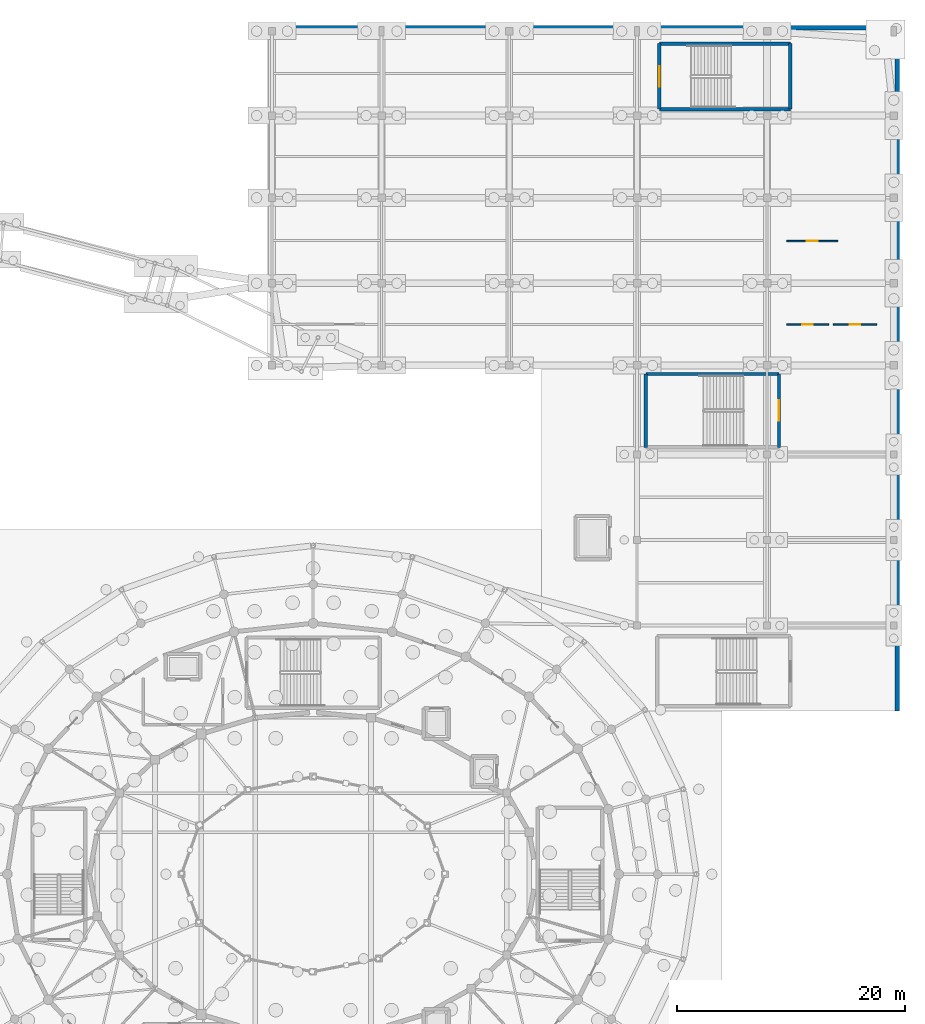
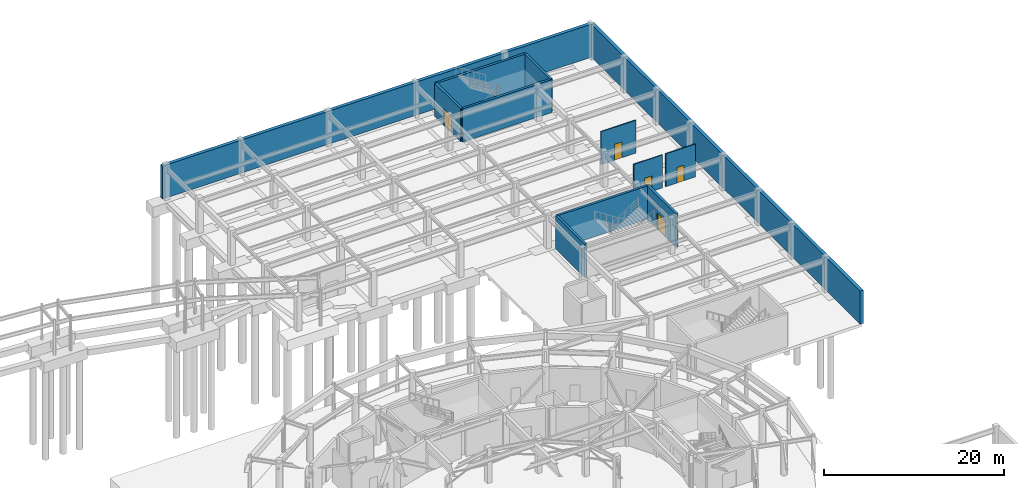
# One storey, part 43 of 68: 12 walls, 5 doors, 5 openings.
"""IFC4 building model written with IfcOpenShell, lengths in metres."""

from ifc_helpers import new_model, si_unit, direction, frame, frame_2d, origin, place, context, subcontext, project, spatial, rectangle, extrude, material, layer, layer_set, type_object, element, fill, save


model = new_model("IFC4")

# Units and contexts
model_context = context("Model", 3, precision=1e-05, world=origin(), true_north=direction((0.0, 1.0)))
body_context = subcontext(model_context, "Body", "Model", "MODEL_VIEW")
ifc_project = project(units=[si_unit("LENGTHUNIT", "METRE"), si_unit("AREAUNIT", "SQUARE_METRE"), si_unit("VOLUMEUNIT", "CUBIC_METRE"), si_unit("PLANEANGLEUNIT", "RADIAN"), si_unit("MASSUNIT", "GRAM", prefix="KILO")], contexts=[model_context])

# Site, building, storey
site_placement = place(None, origin())
site = spatial("IfcSite", under=ifc_project, at=site_placement, CompositionType="ELEMENT")
building_placement = place(site_placement, origin())
building = spatial("IfcBuilding", under=site, at=building_placement, Name="Cinderbank Siding Concert Hall", CompositionType="ELEMENT")
storey_placement = place(building_placement, frame((0.0, 0.0, -4.800048828125)))
storey = spatial("IfcBuildingStorey", under=building, at=storey_placement, Name="B1", CompositionType="ELEMENT", Elevation=-4.800048828125)

# Wall, opening, door
ifc_material_1 = material(Name="Reinforced concrete AS 3600 N50 (50 MPa)", Category="concrete")
ifc_layer_1 = layer(ifc_material_1, 0.300048828125)
ifc_layer_set_1 = layer_set([ifc_layer_1], Name="Reinforced concrete AS 3600 N50 (50 MPa)")
wall_type_1 = type_object("IfcWallType", Name="WL-03 Structural Wall 300mm", PredefinedType="SHEAR", material=ifc_layer_set_1)
wall_1_placement = place(storey_placement, frame((152.360107421875, 111.06005859375, 0.0), z_axis=(0.0, 0.0, 1.0), x_axis=(0.0, 1.0, 0.0)))
wall_1 = element("IfcWall", 1, at=wall_1_placement, inside=storey, type_object=wall_type_1, Name="B1 ST-07 Core Wall ENTRY", PredefinedType="SHEAR", context=body_context, shape_type="SweptSolid", body=[
    extrude(rectangle(XDim=5.739990234375, YDim=0.300048828125, at=frame_2d((2.8701171875, 0.0))), origin(), (0.0, 0.0, 1.0), 4.47998046875),
])
opening_1_placement = place(wall_1_placement, frame((1.969970703125, 0.0, 0.0)))
opening_1 = element("IfcOpeningElement", 2, at=opening_1_placement, cuts=wall_1, Name="Opening D-05", PredefinedType="OPENING", context=body_context, shape_type="SweptSolid", body=[
    extrude(rectangle(XDim=1.800048828125, YDim=2.199951171875, at=frame_2d((0.89990234375, 1.10009765625))), frame((0.0, 0.162109375, 0.0), z_axis=(0.0, -1.0, 0.0), x_axis=(1.0, 0.0, 0.0)), (0.0, 0.0, 1.0), 0.323974609375),
])
ifc_material_2 = material(Name="Galvanised sheet steel acoustic fire door assembly", Category="steel")
door_type_1 = type_object("IfcDoorType", Name="D-05 Interior Door 1800x2200", OperationType="DOUBLE_DOOR_SINGLE_SWING", PredefinedType="DOOR", material=ifc_material_2)
door_1_placement = place(opening_1_placement, origin())
door_1 = element("IfcDoor", 3, at=door_1_placement, inside=storey, type_object=door_type_1, Name="B1 ST-07 Fire Stair Door B1-D039", OperationType="DOUBLE_DOOR_SINGLE_SWING", OverallHeight=2.199951171875, OverallWidth=1.800048828125, PredefinedType="DOOR", context=body_context, shape_type="SweptSolid", body=[
    extrude(rectangle(XDim=1.800048828125, YDim=2.199951171875, at=frame_2d((0.89990234375, 1.10009765625))), frame((0.0, 0.02490234375, 0.0), z_axis=(0.0, -1.0, 0.0), x_axis=(1.0, 0.0, 0.0)), (0.0, 0.0, 1.0), 0.050048828125),
])
fill(opening_1, door_1)

# Walls
wall_2_placement = place(storey_placement, frame((163.840087890625, 116.800048828125, 0.0), z_axis=(0.0, 0.0, 1.0), x_axis=(0.0, -1.0, 0.0)))
element("IfcWall", 4, at=wall_2_placement, inside=storey, type_object=wall_type_1, Name="B1 ST-07 Core Wall FAR", PredefinedType="SHEAR", context=body_context, shape_type="SweptSolid", body=[
    extrude(rectangle(XDim=5.739990234375, YDim=0.300048828125, at=frame_2d((2.8701171875, 0.0))), origin(), (0.0, 0.0, 1.0), 4.47998046875),
])
for number, where, z_axis, x_axis, name in (
    (5, (163.840087890625, 111.06005859375, 0.0), (0.0, 0.0, 1.0), (-1.0, 0.0, 0.0), "B1 ST-07 Core Wall SIDE1"),
    (6, (152.360107421875, 116.800048828125, 0.0), (0.0, 0.0, 1.0), (1.0, 0.0, 0.0), "B1 ST-07 Core Wall SIDE2"),
):
    element("IfcWall", number, at=place(storey_placement, frame(where, z_axis=z_axis, x_axis=x_axis)), inside=storey, type_object=wall_type_1, Name=name, PredefinedType="SHEAR", context=body_context, shape_type="SweptSolid", body=[
        extrude(rectangle(XDim=11.47998046875, YDim=0.300048828125, at=frame_2d((5.739990234375, 0.0))), origin(), (0.0, 0.0, 1.0), 4.47998046875),
    ])

# Wall, opening, door
wall_3_placement = place(storey_placement, frame((162.840087890625, 87.85009765625, 0.0), z_axis=(0.0, 0.0, 1.0), x_axis=(0.0, -1.0, 0.0)))
wall_3 = element("IfcWall", 7, at=wall_3_placement, inside=storey, type_object=wall_type_1, Name="B1 ST-11 Core Wall ENTRY", PredefinedType="SHEAR", context=body_context, shape_type="SweptSolid", body=[
    extrude(rectangle(XDim=6.440185546875, YDim=0.300048828125, at=frame_2d((3.22021484375, 0.0))), origin(), (0.0, 0.0, 1.0), 4.52001953125),
])
opening_2_placement = place(wall_3_placement, frame((2.320068359375, 0.0, 0.0)))
opening_2 = element("IfcOpeningElement", 8, at=opening_2_placement, cuts=wall_3, Name="Opening D-05", PredefinedType="OPENING", context=body_context, shape_type="SweptSolid", body=[
    extrude(rectangle(XDim=1.800048828125, YDim=2.199951171875, at=frame_2d((0.89990234375, 1.10009765625))), frame((0.0, 0.162109375, 0.0), z_axis=(0.0, -1.0, 0.0), x_axis=(1.0, 0.0, 0.0)), (0.0, 0.0, 1.0), 0.323974609375),
])
door_2_placement = place(opening_2_placement, origin())
door_2 = element("IfcDoor", 9, at=door_2_placement, inside=storey, type_object=door_type_1, Name="B1 ST-11 Fire Stair Door B1-D054", OperationType="DOUBLE_DOOR_SINGLE_SWING", OverallHeight=2.199951171875, OverallWidth=1.800048828125, PredefinedType="DOOR", context=body_context, shape_type="SweptSolid", body=[
    extrude(rectangle(XDim=1.800048828125, YDim=2.199951171875, at=frame_2d((0.89990234375, 1.10009765625))), frame((0.0, 0.02490234375, 0.0), z_axis=(0.0, -1.0, 0.0), x_axis=(1.0, 0.0, 0.0)), (0.0, 0.0, 1.0), 0.050048828125),
])
fill(opening_2, door_2)

# Walls
wall_4_placement = place(storey_placement, frame((151.159912109375, 81.409912109375, 0.0), z_axis=(0.0, 0.0, 1.0), x_axis=(0.0, 1.0, 0.0)))
element("IfcWall", 10, at=wall_4_placement, inside=storey, type_object=wall_type_1, Name="B1 ST-11 Core Wall FAR", PredefinedType="SHEAR", context=body_context, shape_type="SweptSolid", body=[
    extrude(rectangle(XDim=6.440185546875, YDim=0.300048828125, at=frame_2d((3.22021484375, 0.0))), origin(), (0.0, 0.0, 1.0), 4.52001953125),
])
wall_5_placement = place(storey_placement, frame((151.159912109375, 87.85009765625, 0.0), z_axis=(0.0, 0.0, 1.0), x_axis=(1.0, 0.0, 0.0)))
element("IfcWall", 11, at=wall_5_placement, inside=storey, type_object=wall_type_1, Name="B1 ST-11 Core Wall SIDE1", PredefinedType="SHEAR", context=body_context, shape_type="SweptSolid", body=[
    extrude(rectangle(XDim=11.68017578125, YDim=0.300048828125, at=frame_2d((5.840087890625, 0.0))), origin(), (0.0, 0.0, 1.0), 4.52001953125),
])
ifc_material_3 = material(Name="Reinforced concrete AS 3600 N40 (40 MPa)", Category="concrete")
ifc_layer_2 = layer(ifc_material_3, 0.419921875)
ifc_layer_set_2 = layer_set([ifc_layer_2], Name="Reinforced concrete AS 3600 N40 (40 MPa)")
wall_type_2 = type_object("IfcWallType", Name="WL-04 Structural Wall 420mm", PredefinedType="SOLIDWALL", material=ifc_layer_set_2)
wall_6_placement = place(storey_placement, frame((173.199951171875, 58.300048828125, 0.0), z_axis=(0.0, 0.0, 1.0), x_axis=(0.0, 1.0, 0.0)))
element("IfcWall", 12, at=wall_6_placement, inside=storey, type_object=wall_type_2, Name="B1 Structural Wall SW-B1-RET-05", PredefinedType="SOLIDWALL", context=body_context, shape_type="SweptSolid", body=[
    extrude(rectangle(XDim=59.89990234375, YDim=0.419921875, at=frame_2d((29.949951171875, 0.0))), origin(), (0.0, 0.0, 1.0), 4.47998046875),
])
wall_7_placement = place(storey_placement, frame((173.199951171875, 118.199951171875, 0.0), z_axis=(0.0, 0.0, 1.0), x_axis=(-1.0, 0.0, 0.0)))
element("IfcWall", 13, at=wall_7_placement, inside=storey, type_object=wall_type_2, Name="B1 Structural Wall SW-B1-RET-06", PredefinedType="SOLIDWALL", context=body_context, shape_type="SweptSolid", body=[
    extrude(rectangle(XDim=55.199951171875, YDim=0.419921875, at=frame_2d((27.60009765625, 0.0))), origin(), (0.0, 0.0, 1.0), 4.47998046875),
])

# Wall, opening, door
ifc_material_4 = material(Name="Acoustic plasterboard on light-gauge steel studs", Category="gypsum")
ifc_layer_3 = layer(ifc_material_4, 0.1298828125)
ifc_layer_set_3 = layer_set([ifc_layer_3], Name="Acoustic plasterboard on light-gauge steel studs")
wall_type_3 = type_object("IfcWallType", Name="WL-17 Interior Wall 130mm", PredefinedType="PARTITIONING", material=ifc_layer_set_3)
wall_8_placement = place(storey_placement, frame((163.5, 92.199951171875, 0.0), z_axis=(0.0, 0.0, 1.0), x_axis=(1.0, 0.0, 0.0)))
wall_8 = element("IfcWall", 14, at=wall_8_placement, inside=storey, type_object=wall_type_3, Name="B1 Partition B1 Male WC", PredefinedType="PARTITIONING", context=body_context, shape_type="SweptSolid", body=[
    extrude(rectangle(XDim=3.699951171875, YDim=0.1298828125, at=frame_2d((1.85009765625, 0.0))), origin(), (0.0, 0.0, 1.0), 4.465087890625),
])
opening_3_placement = place(wall_8_placement, frame((1.389892578125, 0.0, 0.0)))
opening_3 = element("IfcOpeningElement", 15, at=opening_3_placement, cuts=wall_8, Name="Opening D-09", PredefinedType="OPENING", context=body_context, shape_type="SweptSolid", body=[
    extrude(rectangle(XDim=0.919921875, YDim=2.10009765625, at=frame_2d((0.4599609375, 1.050048828125))), frame((0.0, 0.076904296875, 0.0), z_axis=(0.0, -1.0, 0.0), x_axis=(1.0, 0.0, 0.0)), (0.0, 0.0, 1.0), 0.15380859375),
])
ifc_material_5 = material(Name="Solid-core spotted gum acoustic timber", Category="wood")
door_type_2 = type_object("IfcDoorType", Name="D-09 Interior Door 920x2100", OperationType="NOTDEFINED", PredefinedType="DOOR", material=ifc_material_5)
door_3_placement = place(opening_3_placement, origin())
door_3 = element("IfcDoor", 16, at=door_3_placement, inside=storey, type_object=door_type_2, Name="B1 B1 Male WC Door B1-D240", OperationType="SINGLE_SWING_RIGHT", OverallHeight=2.10009765625, OverallWidth=0.919921875, PredefinedType="DOOR", context=body_context, shape_type="SweptSolid", body=[
    extrude(rectangle(XDim=0.919921875, YDim=2.10009765625, at=frame_2d((0.4599609375, 1.050048828125))), frame((0.0, 0.02490234375, 0.0), z_axis=(0.0, -1.0, 0.0), x_axis=(1.0, 0.0, 0.0)), (0.0, 0.0, 1.0), 0.050048828125),
])
fill(opening_3, door_3)

wall_9_placement = place(storey_placement, frame((167.60009765625, 92.199951171875, 0.0), z_axis=(0.0, 0.0, 1.0), x_axis=(1.0, 0.0, 0.0)))
wall_9 = element("IfcWall", 17, at=wall_9_placement, inside=storey, type_object=wall_type_3, Name="B1 Partition B1 Female WC", PredefinedType="PARTITIONING", context=body_context, shape_type="SweptSolid", body=[
    extrude(rectangle(XDim=3.7998046875, YDim=0.1298828125, at=frame_2d((1.89990234375, 0.0))), origin(), (0.0, 0.0, 1.0), 4.465087890625),
])
opening_4_placement = place(wall_9_placement, frame((1.43994140625, 0.0, 0.0)))
opening_4 = element("IfcOpeningElement", 18, at=opening_4_placement, cuts=wall_9, Name="Opening D-09", PredefinedType="OPENING", context=body_context, shape_type="SweptSolid", body=[
    extrude(rectangle(XDim=0.919921875, YDim=2.10009765625, at=frame_2d((0.4599609375, 1.050048828125))), frame((0.0, 0.076904296875, 0.0), z_axis=(0.0, -1.0, 0.0), x_axis=(1.0, 0.0, 0.0)), (0.0, 0.0, 1.0), 0.15380859375),
])
door_4_placement = place(opening_4_placement, origin())
door_4 = element("IfcDoor", 19, at=door_4_placement, inside=storey, type_object=door_type_2, Name="B1 B1 Female WC Door B1-D241", OperationType="SINGLE_SWING_LEFT", OverallHeight=2.10009765625, OverallWidth=0.919921875, PredefinedType="DOOR", context=body_context, shape_type="SweptSolid", body=[
    extrude(rectangle(XDim=0.919921875, YDim=2.10009765625, at=frame_2d((0.4599609375, 1.050048828125))), frame((0.0, 0.02490234375, 0.0), z_axis=(0.0, -1.0, 0.0), x_axis=(1.0, 0.0, 0.0)), (0.0, 0.0, 1.0), 0.050048828125),
])
fill(opening_4, door_4)

wall_10_placement = place(storey_placement, frame((163.5, 99.5, 0.0), z_axis=(0.0, 0.0, 1.0), x_axis=(1.0, 0.0, 0.0)))
wall_10 = element("IfcWall", 20, at=wall_10_placement, inside=storey, type_object=wall_type_3, Name="B1 Partition B1 Accessible WC", PredefinedType="PARTITIONING", context=body_context, shape_type="SweptSolid", body=[
    extrude(rectangle(XDim=4.5, YDim=0.1298828125, at=frame_2d((2.25, 0.0))), origin(), (0.0, 0.0, 1.0), 4.465087890625),
])
opening_5_placement = place(wall_10_placement, frame((1.77490234375, 0.0, 0.0)))
opening_5 = element("IfcOpeningElement", 21, at=opening_5_placement, cuts=wall_10, Name="Opening D-01", PredefinedType="OPENING", context=body_context, shape_type="SweptSolid", body=[
    extrude(rectangle(XDim=0.949951171875, YDim=2.14990234375, at=frame_2d((0.47509765625, 1.074951171875))), frame((0.0, 0.076904296875, 0.0), z_axis=(0.0, -1.0, 0.0), x_axis=(1.0, 0.0, 0.0)), (0.0, 0.0, 1.0), 0.15380859375),
])
door_type_3 = type_object("IfcDoorType", Name="D-01 Interior Door 950x2150", OperationType="NOTDEFINED", PredefinedType="DOOR", material=ifc_material_5)
door_5_placement = place(opening_5_placement, origin())
door_5 = element("IfcDoor", 22, at=door_5_placement, inside=storey, type_object=door_type_3, Name="B1 B1 Accessible WC Door B1-D242", OperationType="SINGLE_SWING_RIGHT", OverallHeight=2.14990234375, OverallWidth=0.949951171875, PredefinedType="DOOR", context=body_context, shape_type="SweptSolid", body=[
    extrude(rectangle(XDim=0.949951171875, YDim=2.14990234375, at=frame_2d((0.47509765625, 1.074951171875))), frame((0.0, 0.02490234375, 0.0), z_axis=(0.0, -1.0, 0.0), x_axis=(1.0, 0.0, 0.0)), (0.0, 0.0, 1.0), 0.050048828125),
])
fill(opening_5, door_5)

save(model, "model.ifc")
